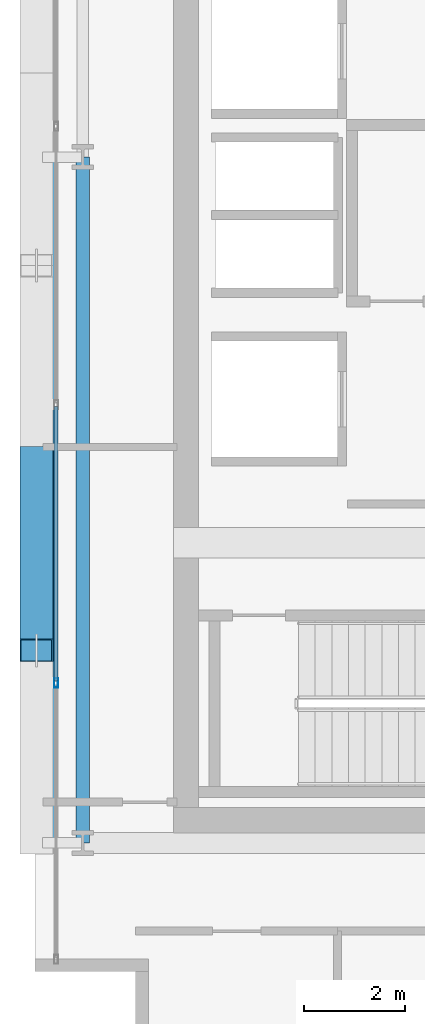
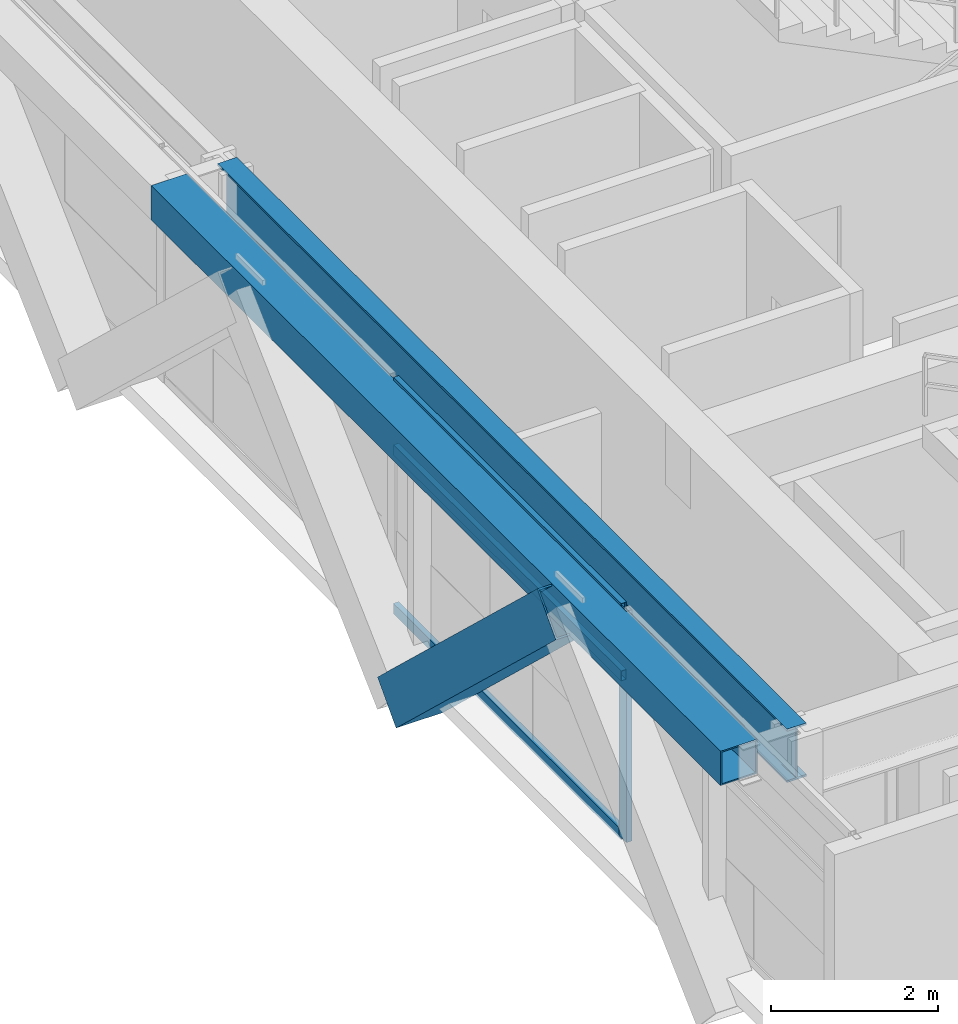
# One storey, part 4 of 31: 5 members, 2 beams, 1 element without a shape of its own.
"""IFC4 building model written with IfcOpenShell, lengths in metres."""

from ifc_helpers import new_model, si_unit, direction, frame, origin, origin_2d, place, context, subcontext, project, spatial, hollow_rectangle, i_section, extrude, source, transform, mapped, material, layer, layer_set, material_profile, profile_set, type_object, element, aggregate, save


model = new_model("IFC4")

# Units and contexts
model_context = context("Model", 3, precision=1e-05, world=origin(), true_north=direction((0.0, 1.0)))
body_context = subcontext(model_context, "Body", "Model", "MODEL_VIEW")
ifc_project = project(units=[si_unit("LENGTHUNIT", "METRE"), si_unit("AREAUNIT", "SQUARE_METRE"), si_unit("VOLUMEUNIT", "CUBIC_METRE"), si_unit("PLANEANGLEUNIT", "RADIAN"), si_unit("MASSUNIT", "GRAM", prefix="KILO")], contexts=[model_context])

# Site, building, storey
site_placement = place(None, origin())
site = spatial("IfcSite", under=ifc_project, at=site_placement, CompositionType="ELEMENT")
building_placement = place(site_placement, origin())
building = spatial("IfcBuilding", under=site, at=building_placement, Name="Ocotamira Hotel", CompositionType="ELEMENT")
storey_placement = place(building_placement, frame((0.0, 0.0, 174.0)))
storey = spatial("IfcBuildingStorey", under=building, at=storey_placement, Name="L43", CompositionType="ELEMENT", Elevation=174.0)

# Beams
ifc_material_1 = material(Name="Steel ASTM A992 Grade 50", Category="steel")
ifc_material_profile_1 = material_profile(ifc_material_1, i_section(OverallWidth=0.26611328125, OverallDepth=0.779052734375, WebThickness=0.0166015625, FlangeThickness=0.030029296875, FilletRadius=0.01806640625, at=origin_2d()), Name="W30X148")
ifc_profile_set_1 = profile_set([ifc_material_profile_1], Name="Steel ASTM A992 Grade 50")
beam_type_1 = type_object("IfcBeamType", Name="BM-GIRD-W30X148", PredefinedType="BEAM", material=ifc_profile_set_1)
shared_shape_1 = source(origin(), body_context, "Body", "SweptSolid", [
    extrude(i_section(OverallWidth=0.26611328125, OverallDepth=0.779052734375, WebThickness=0.0166015625, FlangeThickness=0.030029296875, FilletRadius=0.01806640625, at=origin_2d()), origin(), (0.0, 0.0, 1.0), 13.599853515625),
])
beam_1_placement = place(storey_placement, frame((8.949951171875, 14.550048828125, 2.98046875), z_axis=(0.0, 1.0, 0.0), x_axis=(-1.0, 0.0, 0.0)))
element("IfcBeam", 1, at=beam_1_placement, inside=storey, type_object=beam_type_1, Name="L43 Beam X8.95 Y14.55-28.15", PredefinedType="BEAM", context=body_context, shape_type="MappedRepresentation", body=[
    mapped(shared_shape_1, transform((0.0, 0.0, 0.0), scale=1.0)),
])
ifc_material_2 = material(Name="Steel ASTM A500 Grade C", Category="steel")
ifc_material_profile_2 = material_profile(ifc_material_2, hollow_rectangle(XDim=0.5, YDim=0.5, WallThickness=0.02001953125, at=origin_2d()), Name="HSS500X500X20")
ifc_profile_set_2 = profile_set([ifc_material_profile_2], Name="Steel ASTM A500 Grade C")
beam_type_2 = type_object("IfcBeamType", Name="BM-SPAN-HSS500", PredefinedType="USERDEFINED", material=ifc_profile_set_2)
shared_shape_2 = source(origin(), body_context, "Body", "SweptSolid", [
    extrude(hollow_rectangle(XDim=0.5, YDim=0.5, WallThickness=0.02001953125, at=origin_2d()), origin(), (0.0, 0.0, 1.0), 13.599853515625),
])
beam_2_placement = place(storey_placement, frame((8.14990234375, 14.550048828125, 3.1201171875), z_axis=(0.0, 1.0, 0.0), x_axis=(-1.0, 0.0, 0.0)))
element("IfcBeam", 2, at=beam_2_placement, inside=storey, type_object=beam_type_2, Name="L43 Edge Spandrel W Y14.55-28.15", ObjectType="SPANDREL", PredefinedType="USERDEFINED", context=body_context, shape_type="MappedRepresentation", body=[
    mapped(shared_shape_2, transform((0.0, 0.0, 0.0), scale=1.0)),
])

# Member
ifc_material_3 = material(Name="Pale-metal coated steel ASTM A913 Grade 65", Category="steel")
ifc_material_profile_3 = material_profile(ifc_material_3, hollow_rectangle(XDim=0.64990234375, YDim=0.64990234375, WallThickness=0.02197265625, at=origin_2d()), Name="BOX650X650X22")
ifc_profile_set_3 = profile_set([ifc_material_profile_3], Name="Pale-metal coated steel ASTM A913 Grade 65")
member_type_1 = type_object("IfcMemberType", Name="MEM-EXO-BOX650", PredefinedType="BRACE", material=ifc_profile_set_3)
shared_shape_3 = source(origin(), body_context, "Body", "SweptSolid", [
    extrude(hollow_rectangle(XDim=0.64990234375, YDim=0.64990234375, WallThickness=0.02197265625, at=origin_2d()), origin(), (0.0, 0.0, 1.0), 5.24658203125),
])
member_1_placement = place(storey_placement, frame((8.030029296875, 22.183349609375, -0.47998046875), z_axis=(0.0, -0.727442733726, 0.686168397078), x_axis=(1.0, 0.0, 0.0)))
element("IfcMember", 3, at=member_1_placement, inside=storey, type_object=member_type_1, Name="L43 Exoskeleton Diagrid W0.2", PredefinedType="BRACE", context=body_context, shape_type="MappedRepresentation", body=[
    mapped(shared_shape_3, transform((0.0, 0.0, 0.0), scale=1.0)),
])

# Curtain wall, members
ifc_material_4 = material(Name="Anodised pale-metal aluminium and solar glass", Category="aluminium")
ifc_layer = layer(ifc_material_4, 0.199951171875)
ifc_layer_set = layer_set([ifc_layer], Name="Anodised pale-metal aluminium and solar glass")
curtain_wall_type = type_object("IfcCurtainWallType", Name="CW-SYS4-Z3", PredefinedType="NOTDEFINED", material=ifc_layer_set)
curtain_wall_placement = place(storey_placement, origin())
curtain_wall = element("IfcCurtainWall", 4, at=curtain_wall_placement, inside=storey, type_object=curtain_wall_type, Name="L43 Curtain Wall CW-4 CW-L43-W", PredefinedType="NOTDEFINED")
ifc_material_5 = material(Name="Anodised pale-metal aluminium 6063-T6", Category="aluminium")
ifc_material_profile_4 = material_profile(ifc_material_5, hollow_rectangle(XDim=0.080078125, YDim=0.179931640625, WallThickness=0.006103515625, at=origin_2d()), Name="HSS180X80X6")
ifc_profile_set_4 = profile_set([ifc_material_profile_4], Name="Anodised pale-metal aluminium 6063-T6")
member_type_2 = type_object("IfcMemberType", Name="CWM-180X75", PredefinedType="MULLION", material=ifc_profile_set_4)
shared_shape_4 = source(origin(), body_context, "Body", "SweptSolid", [
    extrude(hollow_rectangle(XDim=0.080078125, YDim=0.179931640625, WallThickness=0.006103515625, at=origin_2d()), origin(), (0.0, 0.0, 1.0), 3.3701171875),
])
member_2_placement = place(storey_placement, frame((8.419921875, 17.719970703125, 0.0), z_axis=(0.0, 0.0, 1.0), x_axis=(-1.0, 0.0, 0.0)))
member_2 = element("IfcMember", 5, at=member_2_placement, type_object=member_type_2, Name="CW-4 mullion 2", PredefinedType="MULLION", context=body_context, shape_type="MappedRepresentation", body=[
    mapped(shared_shape_4, transform((0.0, 0.0, 0.0), scale=1.0)),
])
ifc_material_profile_5 = material_profile(ifc_material_5, hollow_rectangle(XDim=0.074951171875, YDim=0.14990234375, WallThickness=0.006103515625, at=origin_2d()), Name="HSS150X75X6")
ifc_profile_set_5 = profile_set([ifc_material_profile_5], Name="Anodised pale-metal aluminium 6063-T6")
member_type_3 = type_object("IfcMemberType", Name="CWT-150X75", PredefinedType="USERDEFINED", material=ifc_profile_set_5)
shared_shape_5 = source(origin(), body_context, "Body", "SweptSolid", [
    extrude(hollow_rectangle(XDim=0.074951171875, YDim=0.14990234375, WallThickness=0.006103515625, at=origin_2d()), origin(), (0.0, 0.0, 1.0), 5.43994140625),
])
member_3_placement = place(storey_placement, frame((8.419921875, 17.760009765625, 0.03759765625), z_axis=(0.0, 1.0, 0.0), x_axis=(-1.0, 0.0, 0.0)))
member_3 = element("IfcMember", 6, at=member_3_placement, type_object=member_type_3, Name="CW-4 transom 2.1", ObjectType="TRANSOM", PredefinedType="USERDEFINED", context=body_context, shape_type="MappedRepresentation", body=[
    mapped(shared_shape_5, transform((0.0, 0.0, 0.0), scale=1.0)),
])
member_4_placement = place(storey_placement, frame((8.419921875, 17.760009765625, 2.35009765625), z_axis=(0.0, 1.0, 0.0), x_axis=(-1.0, 0.0, 0.0)))
member_4 = element("IfcMember", 7, at=member_4_placement, type_object=member_type_3, Name="CW-4 transom 2.2", ObjectType="TRANSOM", PredefinedType="USERDEFINED", context=body_context, shape_type="MappedRepresentation", body=[
    mapped(shared_shape_5, transform((0.0, 0.0, 0.0), scale=1.0)),
])
member_5_placement = place(storey_placement, frame((8.419921875, 17.760009765625, 3.33251953125), z_axis=(0.0, 1.0, 0.0), x_axis=(-1.0, 0.0, 0.0)))
member_5 = element("IfcMember", 8, at=member_5_placement, type_object=member_type_3, Name="CW-4 transom 2.3", ObjectType="TRANSOM", PredefinedType="USERDEFINED", context=body_context, shape_type="MappedRepresentation", body=[
    mapped(shared_shape_5, transform((0.0, 0.0, 0.0), scale=1.0)),
])
aggregate(curtain_wall, [member_2, member_3, member_4, member_5])

save(model, "model.ifc")
